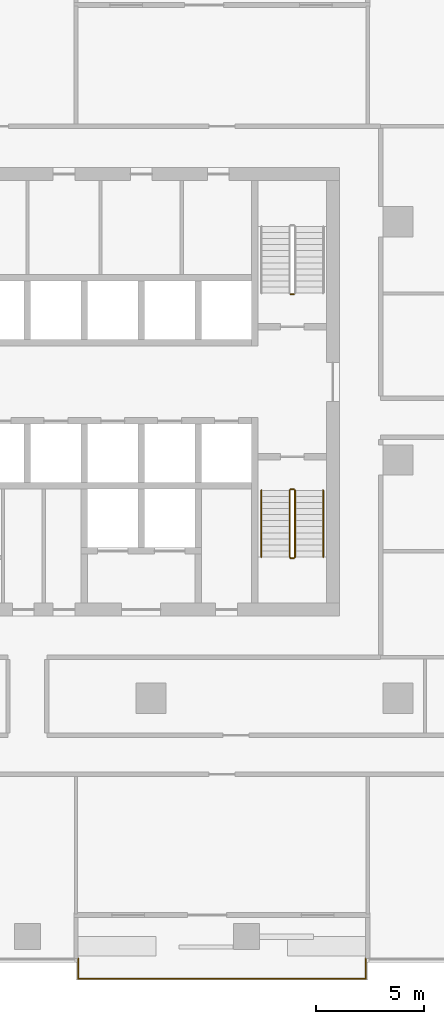
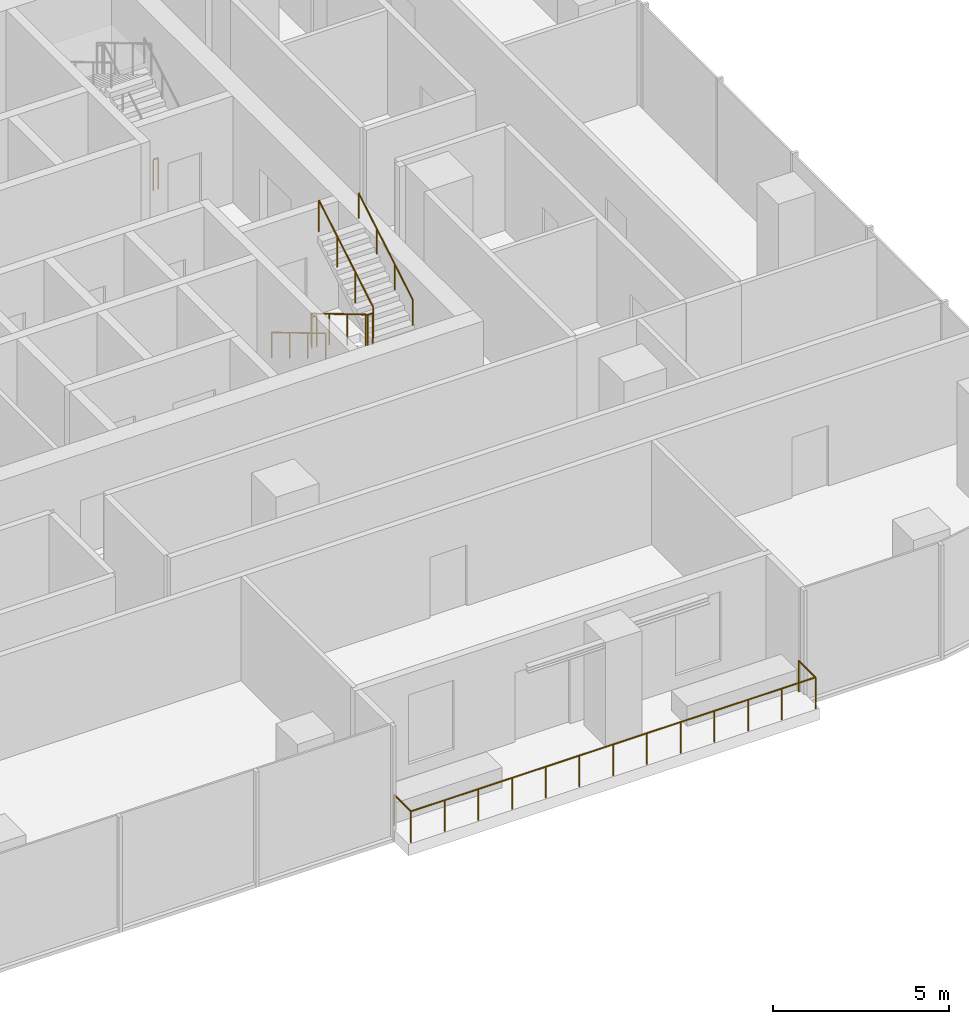
# One storey, part 13 of 14: 7 railings.
"""IFC4 building model written with IfcOpenShell, lengths in metres."""

import ifcopenshell
import ifcopenshell.guid

model = None  # the IFC model being written
_history = None  # IfcOwnerHistory: only IFC2X3 demands one
_inside = {}  # id of a spatial element -> (the spatial element, [elements in it])
_under = {}  # id of a project, library or spatial element -> (it, [spatial elements below it])
_declared = {}  # id of a project -> (the project, [libraries it declares])
_typed = {}  # id of a type object -> (the type object, [elements of that type])
_made_of = {}  # id of a material, layer set ... -> (it, [elements and type objects made of it])


def new_model(schema):
    """Start an empty IFC model of exactly this schema.

    Asked for "IFC4X3", IfcOpenShell would pick the latest addendum, in which some entities
    have other attributes; the version numbers below select the first issue.
    IFC2X3 requires an IfcOwnerHistory on every rooted entity: one is made here for all.
    """
    global model, _history
    if schema == "IFC4X3":
        model = ifcopenshell.file(schema_version=(4, 3, 0, 0))
    else:
        model = ifcopenshell.file(schema=schema)
    _inside.clear()
    _under.clear()
    _declared.clear()
    _typed.clear()
    _made_of.clear()
    _history = None
    if model.schema == "IFC2X3":
        org = make("IfcOrganization", Name="unknown")
        user = make(
            "IfcPersonAndOrganization",
            ThePerson=make("IfcPerson", FamilyName="unknown"),
            TheOrganization=org,
        )
        app = make(
            "IfcApplication",
            ApplicationDeveloper=org,
            Version="unknown",
            ApplicationFullName="unknown",
            ApplicationIdentifier="unknown",
        )
        _history = make(
            "IfcOwnerHistory",
            OwningUser=user,
            OwningApplication=app,
            ChangeAction="ADDED",
            CreationDate=0,
        )
    return model


def make(cls, **values):
    """One entity of the class cls with the attributes given. An attribute that is None is left unset."""
    return model.create_entity(
        cls, **{name: value for name, value in values.items() if value is not None}
    )


def rooted(cls, **values):
    """An entity with a GlobalId (a new one), such as an element, a storey or a relation."""
    return make(cls, GlobalId=ifcopenshell.guid.new(), OwnerHistory=_history, **values)


def si_unit(unit_type, name, prefix=None):
    """IfcSIUnit, for example si_unit("LENGTHUNIT", "METRE", prefix="MILLI")."""
    return make("IfcSIUnit", UnitType=unit_type, Prefix=prefix, Name=name)


def assignment(units):
    """IfcUnitAssignment: the units of a project."""
    return None if units is None else make("IfcUnitAssignment", Units=units)


def point(xyz):
    """IfcCartesianPoint."""
    return None if xyz is None else make("IfcCartesianPoint", Coordinates=xyz)


def direction(xyz):
    """IfcDirection."""
    return None if xyz is None else make("IfcDirection", DirectionRatios=xyz)


def frame(location, z_axis=None, x_axis=None):
    """IfcAxis2Placement3D, a coordinate frame: its origin and axes. An axis left out is left unset."""
    return make(
        "IfcAxis2Placement3D",
        Location=point(location),
        Axis=direction(z_axis),
        RefDirection=direction(x_axis),
    )


def frame_2d(location, x_axis=None):
    """IfcAxis2Placement2D, a coordinate frame in the plane: its origin and x axis."""
    return make(
        "IfcAxis2Placement2D", Location=point(location), RefDirection=direction(x_axis)
    )


def origin():
    """The frame at (0, 0, 0) with its axes left unset."""
    return frame((0.0, 0.0, 0.0))


def origin_2d():
    """The frame at (0, 0) in the plane with its x axis left unset."""
    return frame_2d((0.0, 0.0))


def place(relative_to, where):
    """IfcLocalPlacement: puts the frame where relative to a parent placement (None: the world)."""
    return make(
        "IfcLocalPlacement", PlacementRelTo=relative_to, RelativePlacement=where
    )


def context(
    kind, dimensions, precision=None, world=None, true_north=None, identifier=None
):
    """IfcGeometricRepresentationContext, for example the 3D "Model" context."""
    return make(
        "IfcGeometricRepresentationContext",
        ContextIdentifier=identifier,
        ContextType=kind,
        CoordinateSpaceDimension=dimensions,
        Precision=precision,
        WorldCoordinateSystem=world,
        TrueNorth=true_north,
    )


def subcontext(parent, identifier, kind, view, scale=None):
    """IfcGeometricRepresentationSubContext, for example "Body" below "Model"."""
    return make(
        "IfcGeometricRepresentationSubContext",
        ContextIdentifier=identifier,
        ContextType=kind,
        ParentContext=parent,
        TargetScale=scale,
        TargetView=view,
    )


def project(units=None, contexts=None):
    """IfcProject with its units and contexts."""
    return rooted(
        "IfcProject",
        Name="project",
        RepresentationContexts=contexts,
        UnitsInContext=assignment(units),
    )


def spatial(cls, under=None, at=None, **own):
    """A site, building, storey or space (cls), placed at a placement, below another one or the project."""
    s = rooted(cls, ObjectPlacement=at, **own)
    if under is not None:
        _under.setdefault(under.id(), (under, []))[1].append(s)
    return s


def profile(cls, at=None, kind="AREA", **sizes):
    """A parametric profile (cls). Its sizes go by their IFC names, for example OverallWidth=200.0."""
    return make(cls, ProfileType=kind, Position=at, **sizes)


def circle(**sizes):
    """IfcCircleProfileDef."""
    return profile("IfcCircleProfileDef", **sizes)


def extrude(swept, where, along, depth):
    """IfcExtrudedAreaSolid: the profile swept, set in the frame where, extruded along a direction by depth."""
    return make(
        "IfcExtrudedAreaSolid",
        SweptArea=swept,
        Position=where,
        ExtrudedDirection=direction(along),
        Depth=depth,
    )


def shape(context_of_items, identifier, shape_type, items):
    """IfcShapeRepresentation: the items that make up one representation, for example the "Body"."""
    return make(
        "IfcShapeRepresentation",
        ContextOfItems=context_of_items,
        RepresentationIdentifier=identifier,
        RepresentationType=shape_type,
        Items=items,
    )


def material(Name=None, Category=None):
    """IfcMaterial."""
    return make("IfcMaterial", Name=Name, Category=Category)


def made_of(thing, what):
    """Note that an element or type object is made of a material, layer set ...; save() writes the relation."""
    if what is not None:
        _made_of.setdefault(what.id(), (what, []))[1].append(thing)
    return thing


def type_object(cls, material=None, **own):
    """A type object (cls), such as IfcWallType, which elements share."""
    return made_of(rooted(cls, **own), material)


def element(
    cls,
    number,
    at=None,
    inside=None,
    cuts=None,
    type_object=None,
    material=None,
    context=None,
    identifier="Body",
    shape_type=None,
    held_by="IfcProductDefinitionShape",
    body=None,
    shapes=None,
    **own,
):
    """One element of the class cls, such as IfcWall. Its Tag is "e" and its number.

    at: its placement. inside: the storey or other place that contains it. cuts: it is an
    opening in that element (IfcRelVoidsElement). A single representation is given by context,
    identifier, shape_type and body (its items); several are given by shapes. held_by: the class
    of the entity that holds the representations. save() writes the other relations.
    """
    e = rooted(cls, Tag="e%d" % number, ObjectPlacement=at, **own)
    if body is not None:
        shapes = [shape(context, identifier, shape_type, body)]
    if shapes is not None:
        e.Representation = make(held_by, Representations=shapes)
    if inside is not None:
        _inside.setdefault(inside.id(), (inside, []))[1].append(e)
    if cuts is not None:
        rooted(
            "IfcRelVoidsElement", RelatingBuildingElement=cuts, RelatedOpeningElement=e
        )
    if type_object is not None:
        _typed.setdefault(type_object.id(), (type_object, []))[1].append(e)
    return made_of(e, material)


def aggregate(whole, parts):
    """IfcRelAggregates: a whole, such as a stair, and the parts it consists of."""
    return rooted("IfcRelAggregates", RelatingObject=whole, RelatedObjects=parts)


def save(model, path):
    """Write the relations noted so far, then the file.

    IfcRelAggregates (storeys below a building ...), IfcRelContainedInSpatialStructure (elements
    in a storey), IfcRelDefinesByType, IfcRelAssociatesMaterial and IfcRelDeclares: one each for
    every whole, place, type object, material and project.
    """
    for whole, parts in _under.values():
        aggregate(whole, parts)
    for where, things in _inside.values():
        rooted(
            "IfcRelContainedInSpatialStructure",
            RelatedElements=things,
            RelatingStructure=where,
        )
    for kind, things in _typed.values():
        rooted("IfcRelDefinesByType", RelatedObjects=things, RelatingType=kind)
    for what, things in _made_of.values():
        rooted("IfcRelAssociatesMaterial", RelatedObjects=things, RelatingMaterial=what)
    for by, libraries in _declared.values():
        rooted("IfcRelDeclares", RelatingContext=by, RelatedDefinitions=libraries)
    model.write(path)


model = new_model("IFC4")

# Units and contexts
model_context = context("Model", 3, precision=1e-05, world=origin(), true_north=direction((0.0, 1.0)))
body_context = subcontext(model_context, "Body", "Model", "MODEL_VIEW")
ifc_project = project(units=[si_unit("LENGTHUNIT", "METRE"), si_unit("AREAUNIT", "SQUARE_METRE"), si_unit("VOLUMEUNIT", "CUBIC_METRE"), si_unit("PLANEANGLEUNIT", "RADIAN"), si_unit("MASSUNIT", "GRAM", prefix="KILO")], contexts=[model_context])

# Site, building, storey
site_placement = place(None, origin())
site = spatial("IfcSite", under=ifc_project, at=site_placement, CompositionType="ELEMENT")
building_placement = place(site_placement, origin())
building = spatial("IfcBuilding", under=site, at=building_placement, Name="Mopane Tessera Tower", CompositionType="ELEMENT")
storey_placement = place(building_placement, frame((0.0, 0.0, 185.0)))
storey = spatial("IfcBuildingStorey", under=building, at=storey_placement, Name="L38", CompositionType="ELEMENT", Elevation=185.0)

# Railings
ifc_material_1 = material(Name="Powder-coated steel balustrade", Category="steel")
railing_type_1 = type_object("IfcRailingType", Name="Escape stair guard 1100 mm", PredefinedType="GUARDRAIL", material=ifc_material_1)
railing_1_placement = place(storey_placement, frame((12.10009765625, -1.39990234375, 0.166748046875)))
element("IfcRailing", 1, at=railing_1_placement, inside=storey, type_object=railing_type_1, Name="L38 ST3 stair guard 1", PredefinedType="GUARDRAIL", context=body_context, shape_type="SweptSolid", body=[
    extrude(circle(Radius=0.02392578125, at=origin_2d()), frame((0.0, 0.0, 1.076171875), z_axis=(0.0, -0.859308565015, 0.511457515432), x_axis=(1.0, 0.0, 0.0)), (0.0, 0.0, 1.0), 3.58447265625),
    extrude(circle(Radius=0.02392578125, at=origin_2d()), frame((0.0, -3.080078125, 2.9091796875), z_axis=(0.705375805398, -0.708833529934, 0.0), x_axis=(0.708833529934, 0.705375805398, 0.0)), (0.0, 0.0, 1.0), 0.070556640625),
    extrude(circle(Radius=0.02392578125, at=origin_2d()), frame((0.0498046875, -3.130126953125, 2.9091796875), z_axis=(1.0, 0.0, 0.0), x_axis=(0.0, 1.0, 0.0)), (0.0, 0.0, 1.0), 0.150146484375),
    extrude(circle(Radius=0.02099609375, at=origin_2d()), origin(), (0.0, 0.0, 1.0), 1.052001953125),
    extrude(circle(Radius=0.02099609375, at=origin_2d()), frame((0.0, -1.026611328125, 0.611083984375)), (0.0, 0.0, 1.0), 1.052001953125),
    extrude(circle(Radius=0.02099609375, at=origin_2d()), frame((0.0, -2.053466796875, 1.22216796875)), (0.0, 0.0, 1.0), 1.052001953125),
    extrude(circle(Radius=0.02099609375, at=origin_2d()), frame((0.0, -3.080078125, 1.833251953125)), (0.0, 0.0, 1.0), 1.052001953125),
    extrude(circle(Radius=0.02099609375, at=origin_2d()), frame((0.0498046875, -3.130126953125, 1.833251953125)), (0.0, 0.0, 1.0), 1.052001953125),
    extrude(circle(Radius=0.02099609375, at=origin_2d()), frame((0.199951171875, -3.130126953125, 1.833251953125)), (0.0, 0.0, 1.0), 1.052001953125),
])
railing_2_placement = place(storey_placement, frame((12.35009765625, -4.47998046875, 2.166748046875)))
element("IfcRailing", 2, at=railing_2_placement, inside=storey, type_object=railing_type_1, Name="L38 ST3 stair guard 2", PredefinedType="GUARDRAIL", context=body_context, shape_type="SweptSolid", body=[
    extrude(circle(Radius=0.02392578125, at=origin_2d()), frame((0.0, 0.0, 1.076171875), z_axis=(0.0, 0.859308565015, 0.511457515432), x_axis=(-1.0, 0.0, 0.0)), (0.0, 0.0, 1.0), 3.58447265625),
    extrude(circle(Radius=0.02099609375, at=origin_2d()), origin(), (0.0, 0.0, 1.0), 1.052001953125),
    extrude(circle(Radius=0.02099609375, at=origin_2d()), frame((0.0, 1.026611328125, 0.611083984375)), (0.0, 0.0, 1.0), 1.052001953125),
    extrude(circle(Radius=0.02099609375, at=origin_2d()), frame((0.0, 2.053466796875, 1.22216796875)), (0.0, 0.0, 1.0), 1.052001953125),
    extrude(circle(Radius=0.02099609375, at=origin_2d()), frame((0.0, 3.080078125, 1.833251953125)), (0.0, 0.0, 1.0), 1.052001953125),
])
railing_3_placement = place(storey_placement, frame((12.14990234375, -1.35009765625, 0.0)))
element("IfcRailing", 3, at=railing_3_placement, inside=storey, type_object=railing_type_1, Name="L38 ST3 stair guard 3", PredefinedType="GUARDRAIL", context=body_context, shape_type="SweptSolid", body=[
    extrude(circle(Radius=0.02392578125, at=origin_2d()), frame((0.0, 0.0, 1.076171875), z_axis=(1.0, 0.0, 0.0), x_axis=(0.0, 1.0, 0.0)), (0.0, 0.0, 1.0), 0.150146484375),
    extrude(circle(Radius=0.02099609375, at=origin_2d()), origin(), (0.0, 0.0, 1.0), 1.052001953125),
    extrude(circle(Radius=0.02099609375, at=origin_2d()), frame((0.150146484375, 0.0, 0.0)), (0.0, 0.0, 1.0), 1.052001953125),
])
railing_4_placement = place(storey_placement, frame((12.300048828125, 7.64990234375, 0.0)))
element("IfcRailing", 4, at=railing_4_placement, inside=storey, type_object=railing_type_1, Name="L38 ST4 stair guard 3", PredefinedType="GUARDRAIL", context=body_context, shape_type="SweptSolid", body=[
    extrude(circle(Radius=0.02392578125, at=origin_2d()), frame((0.0, 0.0, 1.076171875), z_axis=(-1.0, 0.0, 0.0), x_axis=(0.0, -1.0, 0.0)), (0.0, 0.0, 1.0), 0.150146484375),
    extrude(circle(Radius=0.02099609375, at=origin_2d()), origin(), (0.0, 0.0, 1.0), 1.052001953125),
    extrude(circle(Radius=0.02099609375, at=origin_2d()), frame((-0.150146484375, 0.0, 0.0)), (0.0, 0.0, 1.0), 1.052001953125),
])
ifc_material_2 = material(Name="Powder-coated steel balustrade", Category="steel")
railing_type_2 = type_object("IfcRailingType", Name="Escape stair handrail 900 mm", PredefinedType="HANDRAIL", material=ifc_material_2)
railing_5_placement = place(storey_placement, frame((10.800048828125, -1.39990234375, 0.166748046875)))
element("IfcRailing", 5, at=railing_5_placement, inside=storey, type_object=railing_type_2, Name="L38 ST3 stair handrail 1", PredefinedType="HANDRAIL", context=body_context, shape_type="SweptSolid", body=[
    extrude(circle(Radius=0.02392578125, at=origin_2d()), frame((0.0, 0.0, 0.8759765625), z_axis=(0.0, -0.859308565015, 0.511457515432), x_axis=(1.0, 0.0, 0.0)), (0.0, 0.0, 1.0), 3.58447265625),
    extrude(circle(Radius=0.02099609375, at=origin_2d()), origin(), (0.0, 0.0, 1.0), 0.851806640625),
    extrude(circle(Radius=0.02099609375, at=origin_2d()), frame((0.0, -1.026611328125, 0.611083984375)), (0.0, 0.0, 1.0), 0.851806640625),
    extrude(circle(Radius=0.02099609375, at=origin_2d()), frame((0.0, -2.053466796875, 1.22216796875)), (0.0, 0.0, 1.0), 0.851806640625),
    extrude(circle(Radius=0.02099609375, at=origin_2d()), frame((0.0, -3.080078125, 1.833251953125)), (0.0, 0.0, 1.0), 0.851806640625),
])
railing_6_placement = place(storey_placement, frame((13.64990234375, -4.47998046875, 2.166748046875)))
element("IfcRailing", 6, at=railing_6_placement, inside=storey, type_object=railing_type_2, Name="L38 ST3 stair handrail 2", PredefinedType="HANDRAIL", context=body_context, shape_type="SweptSolid", body=[
    extrude(circle(Radius=0.02392578125, at=origin_2d()), frame((0.0, 0.0, 0.8759765625), z_axis=(0.0, 0.859308565015, 0.511457515432), x_axis=(-1.0, 0.0, 0.0)), (0.0, 0.0, 1.0), 3.58447265625),
    extrude(circle(Radius=0.02099609375, at=origin_2d()), origin(), (0.0, 0.0, 1.0), 0.851806640625),
    extrude(circle(Radius=0.02099609375, at=origin_2d()), frame((0.0, 1.026611328125, 0.611083984375)), (0.0, 0.0, 1.0), 0.851806640625),
    extrude(circle(Radius=0.02099609375, at=origin_2d()), frame((0.0, 2.053466796875, 1.22216796875)), (0.0, 0.0, 1.0), 0.851806640625),
    extrude(circle(Radius=0.02099609375, at=origin_2d()), frame((0.0, 3.080078125, 1.833251953125)), (0.0, 0.0, 1.0), 0.851806640625),
])
ifc_material_3 = material(Name="Stainless steel S316", Category="steel")
railing_type_3 = type_object("IfcRailingType", Name="Terrace guard 1100", PredefinedType="GUARDRAIL", material=ifc_material_3)
railing_7_placement = place(storey_placement, frame((2.344482421875, -23.0, 0.0)))
element("IfcRailing", 7, at=railing_7_placement, inside=storey, type_object=railing_type_3, Name="e:nw:L38:N2:guard", PredefinedType="GUARDRAIL", context=body_context, shape_type="SweptSolid", body=[
    extrude(circle(Radius=0.02392578125, at=origin_2d()), frame((0.0, 0.0, 1.076171875), z_axis=(0.0, -1.0, 0.0), x_axis=(1.0, 0.0, 0.0)), (0.0, 0.0, 1.0), 0.949951171875),
    extrude(circle(Radius=0.02392578125, at=origin_2d()), frame((0.0, -0.949951171875, 1.076171875), z_axis=(1.0, 0.0, 0.0), x_axis=(0.0, 1.0, 0.0)), (0.0, 0.0, 1.0), 13.2666015625),
    extrude(circle(Radius=0.02392578125, at=origin_2d()), frame((13.2666015625, -0.949951171875, 1.076171875), z_axis=(0.0, 1.0, 0.0), x_axis=(-1.0, 0.0, 0.0)), (0.0, 0.0, 1.0), 0.949951171875),
    extrude(circle(Radius=0.02099609375, at=origin_2d()), origin(), (0.0, 0.0, 1.0), 1.052001953125),
    extrude(circle(Radius=0.02099609375, at=origin_2d()), frame((0.0, -0.949951171875, 0.0)), (0.0, 0.0, 1.0), 1.052001953125),
    extrude(circle(Radius=0.02099609375, at=origin_2d()), frame((1.10546875, -0.949951171875, 0.0)), (0.0, 0.0, 1.0), 1.052001953125),
    extrude(circle(Radius=0.02099609375, at=origin_2d()), frame((2.211181640625, -0.949951171875, 0.0)), (0.0, 0.0, 1.0), 1.052001953125),
    extrude(circle(Radius=0.02099609375, at=origin_2d()), frame((3.316650390625, -0.949951171875, 0.0)), (0.0, 0.0, 1.0), 1.052001953125),
    extrude(circle(Radius=0.02099609375, at=origin_2d()), frame((4.422119140625, -0.949951171875, 0.0)), (0.0, 0.0, 1.0), 1.052001953125),
    extrude(circle(Radius=0.02099609375, at=origin_2d()), frame((5.52783203125, -0.949951171875, 0.0)), (0.0, 0.0, 1.0), 1.052001953125),
    extrude(circle(Radius=0.02099609375, at=origin_2d()), frame((6.63330078125, -0.949951171875, 0.0)), (0.0, 0.0, 1.0), 1.052001953125),
    extrude(circle(Radius=0.02099609375, at=origin_2d()), frame((7.73876953125, -0.949951171875, 0.0)), (0.0, 0.0, 1.0), 1.052001953125),
    extrude(circle(Radius=0.02099609375, at=origin_2d()), frame((8.844482421875, -0.949951171875, 0.0)), (0.0, 0.0, 1.0), 1.052001953125),
    extrude(circle(Radius=0.02099609375, at=origin_2d()), frame((9.949951171875, -0.949951171875, 0.0)), (0.0, 0.0, 1.0), 1.052001953125),
    extrude(circle(Radius=0.02099609375, at=origin_2d()), frame((11.055419921875, -0.949951171875, 0.0)), (0.0, 0.0, 1.0), 1.052001953125),
    extrude(circle(Radius=0.02099609375, at=origin_2d()), frame((12.1611328125, -0.949951171875, 0.0)), (0.0, 0.0, 1.0), 1.052001953125),
    extrude(circle(Radius=0.02099609375, at=origin_2d()), frame((13.2666015625, -0.949951171875, 0.0)), (0.0, 0.0, 1.0), 1.052001953125),
    extrude(circle(Radius=0.02099609375, at=origin_2d()), frame((13.2666015625, 0.0, 0.0)), (0.0, 0.0, 1.0), 1.052001953125),
])

save(model, "model.ifc")
